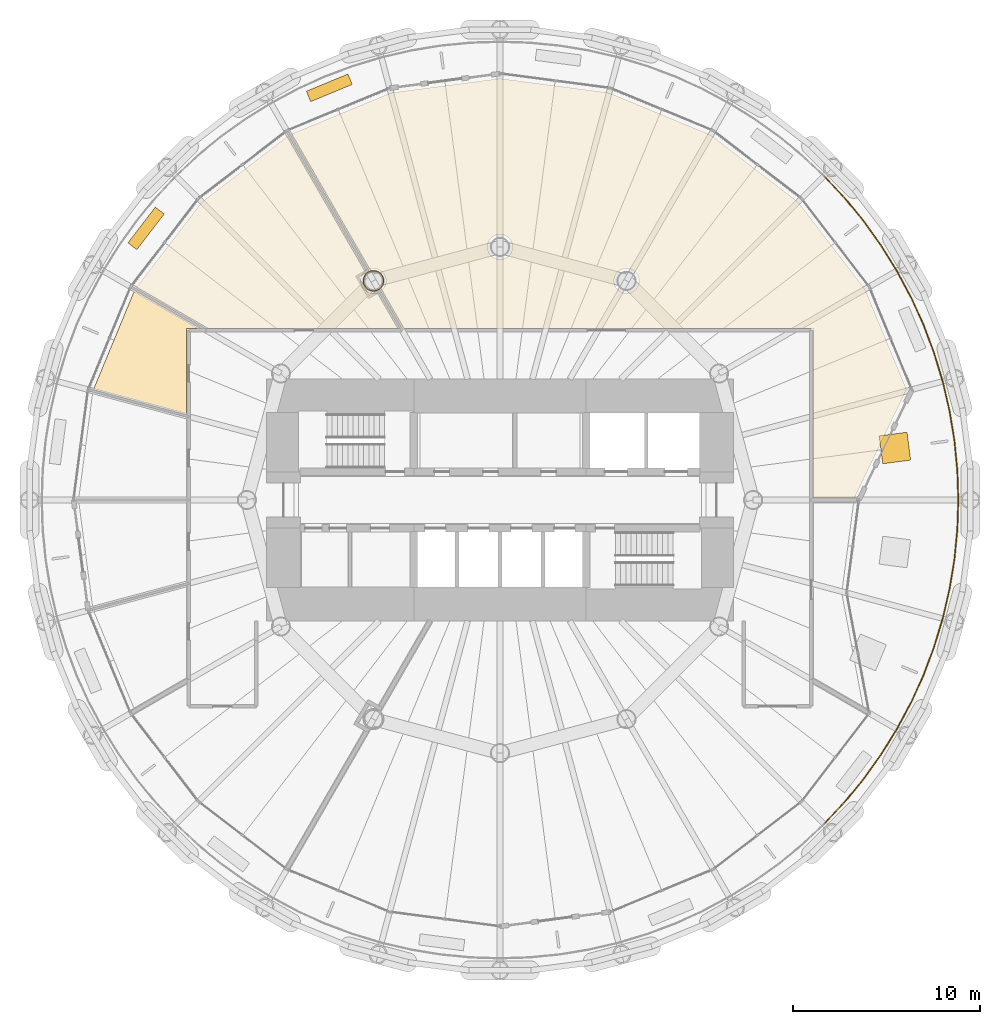
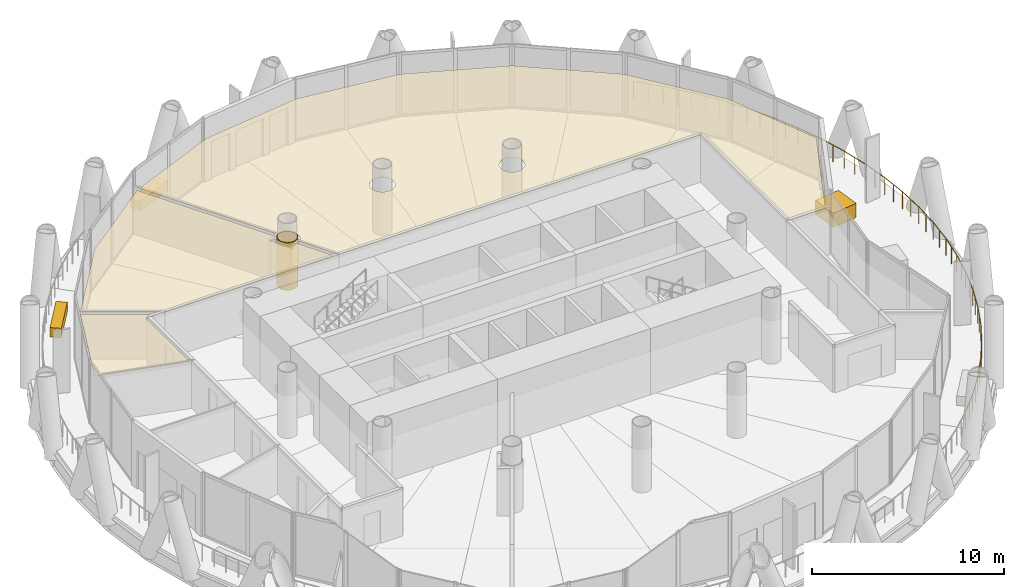
# One storey, part 14 of 15: 7 coverings, 1 railing.
"""IFC4 building model written with IfcOpenShell, lengths in metres."""

from ifc_helpers import new_model, si_unit, direction, frame, origin, origin_2d, place, context, subcontext, project, spatial, polyline, rectangle, circle, outline, extrude, material, layer, layer_set, type_object, element, save


model = new_model("IFC4")

# Units and contexts
model_context = context("Model", 3, precision=1e-05, world=origin(), true_north=direction((0.0, 1.0)))
body_context = subcontext(model_context, "Body", "Model", "MODEL_VIEW")
ifc_project = project(units=[si_unit("LENGTHUNIT", "METRE"), si_unit("AREAUNIT", "SQUARE_METRE"), si_unit("VOLUMEUNIT", "CUBIC_METRE"), si_unit("PLANEANGLEUNIT", "RADIAN"), si_unit("MASSUNIT", "GRAM", prefix="KILO")], contexts=[model_context])

# Site, building, storey
site_placement = place(None, origin())
site = spatial("IfcSite", under=ifc_project, at=site_placement, CompositionType="ELEMENT")
building_placement = place(site_placement, origin())
building = spatial("IfcBuilding", under=site, at=building_placement, Name="Qaws Media Tower", CompositionType="ELEMENT")
storey_placement = place(building_placement, frame((0.0, 0.0, 122.60009765625)))
storey = spatial("IfcBuildingStorey", under=building, at=storey_placement, Name="L27", CompositionType="ELEMENT", Elevation=122.60009765625)

# Covering
ifc_material_1 = material(Name="40 perforated acoustic panels with mineral wool backing, suspended", Category="mineral fibre")
ifc_layer_1 = layer(ifc_material_1, 0.0400390625)
ifc_layer_set_1 = layer_set([ifc_layer_1], Name="Acoustic panel ceiling 40")
covering_type_1 = type_object("IfcCoveringType", Name="Acoustic panel ceiling 40", PredefinedType="CEILING", material=ifc_layer_set_1)
covering_1_placement = place(storey_placement, frame((0.0, 0.0, 2.849853515625)))
element("IfcCovering", 1, at=covering_1_placement, inside=storey, type_object=covering_type_1, Name="CL3 ceiling L27-03 Meeting room", PredefinedType="CEILING", context=body_context, shape_type="SweptSolid", body=[
    extrude(outline(polyline([(44.1005859375, 65.8994140625), (48.66748046875, 69.40380859375), (52.823974609375, 62.204345703125), (52.777587890625, 62.163818359375), (52.719970703125, 62.097900390625), (52.67138671875, 62.025390625), (52.6328125, 61.947021484375), (52.604736328125, 61.8642578125), (52.587646484375, 61.778564453125), (52.58203125, 61.69140625), (52.587646484375, 61.604248046875), (52.604736328125, 61.5185546875), (52.6328125, 61.435791015625), (52.67138671875, 61.357421875), (52.719970703125, 61.28466796875), (52.777587890625, 61.218994140625), (52.84326171875, 61.161376953125), (52.916015625, 61.11279296875), (52.994384765625, 61.07421875), (53.0771484375, 61.046142578125), (53.162841796875, 61.029052734375), (53.25, 61.023193359375), (53.337158203125, 61.029052734375), (53.4228515625, 61.046142578125), (53.481201171875, 61.06591796875), (54.580078125, 59.16259765625), (44.35498046875, 59.16259765625), (40.59619140625, 61.33251953125), (44.1005859375, 65.8994140625)])), origin(), (0.0, 0.0, 1.0), 0.0400390625),
])

# Railing
ifc_material_2 = material(Name="Stainless steel and glass guard", Category="steel")
railing_type = type_object("IfcRailingType", Name="Balcony guard 1100", PredefinedType="GUARDRAIL", material=ifc_material_2)
railing_placement = place(storey_placement, frame((77.288818359375, 32.711181640625, 0.0)))
element("IfcRailing", 2, at=railing_placement, inside=storey, type_object=railing_type, Name="GR1 balcony guard L27-4", PredefinedType="GUARDRAIL", context=body_context, shape_type="SweptSolid", body=[
    extrude(circle(Radius=0.02392578125, at=origin_2d()), frame((0.0, 0.0, 1.076171875), z_axis=(0.683611130788, 0.729846437179, 0.0), x_axis=(-0.729846437179, 0.683611130788, 0.0)), (0.0, 0.0, 1.0), 1.599853515625),
    extrude(circle(Radius=0.02392578125, at=origin_2d()), frame((1.09375, 1.167724609375, 1.076171875), z_axis=(0.634342333827, 0.773052264414, 0.0), x_axis=(-0.773052264414, 0.634342333827, 0.0)), (0.0, 0.0, 1.0), 1.599853515625),
    extrude(circle(Radius=0.02392578125, at=origin_2d()), frame((2.108642578125, 2.404541015625, 1.076171875), z_axis=(0.582450049551, 0.812866495667, 0.0), x_axis=(-0.812866495667, 0.582450049551, 0.0)), (0.0, 0.0, 1.0), 1.599853515625),
    extrude(circle(Radius=0.02392578125, at=origin_2d()), frame((3.04052734375, 3.705078125, 1.076171875), z_axis=(0.528118536746, 0.849170660789, 0.0), x_axis=(-0.849170660789, 0.528118536746, 0.0)), (0.0, 0.0, 1.0), 1.599853515625),
    extrude(circle(Radius=0.02392578125, at=origin_2d()), frame((3.885498046875, 5.063720703125, 1.076171875), z_axis=(0.471340438278, 0.881951354239, 0.0), x_axis=(-0.881951354239, 0.471340438278, 0.0)), (0.0, 0.0, 1.0), 1.60009765625),
    extrude(circle(Radius=0.02392578125, at=origin_2d()), frame((4.6396484375, 6.474853515625, 1.076171875), z_axis=(0.412767961291, 0.910836214767, 0.0), x_axis=(-0.910836214767, 0.412767961291, 0.0)), (0.0, 0.0, 1.0), 1.599853515625),
    extrude(circle(Radius=0.02392578125, at=origin_2d()), frame((5.300048828125, 7.93212890625, 1.076171875), z_axis=(0.352159949938, 0.935939832286, 0.0), x_axis=(-0.935939832286, 0.352159949938, 0.0)), (0.0, 0.0, 1.0), 1.60009765625),
    extrude(circle(Radius=0.02392578125, at=origin_2d()), frame((5.863525390625, 9.4296875, 1.076171875), z_axis=(0.290384299084, 0.956910110118, 0.0), x_axis=(-0.956910110118, 0.290384299084, 0.0)), (0.0, 0.0, 1.0), 1.599853515625),
    extrude(circle(Radius=0.02392578125, at=origin_2d()), frame((6.328125, 10.960693359375, 1.076171875), z_axis=(0.227065597837, 0.973879465991, 0.0), x_axis=(-0.973879465991, 0.227065597837, 0.0)), (0.0, 0.0, 1.0), 1.599853515625),
    extrude(circle(Radius=0.02392578125, at=origin_2d()), frame((6.69140625, 12.518798828125, 1.076171875), z_axis=(0.162815123173, 0.986656594599, 0.0), x_axis=(-0.986656594599, 0.162815123173, 0.0)), (0.0, 0.0, 1.0), 1.599853515625),
    extrude(circle(Radius=0.02392578125, at=origin_2d()), frame((6.951904296875, 14.097412109375, 1.076171875), z_axis=(0.098113716656, 0.995175210003, 0.0), x_axis=(-0.995175210003, 0.098113716656, 0.0)), (0.0, 0.0, 1.0), 1.60009765625),
    extrude(circle(Radius=0.02392578125, at=origin_2d()), frame((7.10888671875, 15.689697265625, 1.076171875), z_axis=(0.032654332044, 0.999466705098, 0.0), x_axis=(-0.999466705098, 0.032654332044, 0.0)), (0.0, 0.0, 1.0), 1.599853515625),
    extrude(circle(Radius=0.02392578125, at=origin_2d()), frame((7.1611328125, 17.288818359375, 1.076171875), z_axis=(-0.032654332044, 0.999466705098, 0.0), x_axis=(-0.999466705098, -0.032654332044, 0.0)), (0.0, 0.0, 1.0), 1.599853515625),
    extrude(circle(Radius=0.02392578125, at=origin_2d()), frame((7.10888671875, 18.887939453125, 1.076171875), z_axis=(-0.098113716656, 0.995175210003, 0.0), x_axis=(-0.995175210003, -0.098113716656, 0.0)), (0.0, 0.0, 1.0), 1.60009765625),
    extrude(circle(Radius=0.02392578125, at=origin_2d()), frame((6.951904296875, 20.480224609375, 1.076171875), z_axis=(-0.162815123173, 0.986656594599, 0.0), x_axis=(-0.986656594599, -0.162815123173, 0.0)), (0.0, 0.0, 1.0), 1.599853515625),
    extrude(circle(Radius=0.02392578125, at=origin_2d()), frame((6.69140625, 22.058837890625, 1.076171875), z_axis=(-0.227065597837, 0.973879465991, 0.0), x_axis=(-0.973879465991, -0.227065597837, 0.0)), (0.0, 0.0, 1.0), 1.599853515625),
    extrude(circle(Radius=0.02392578125, at=origin_2d()), frame((6.328125, 23.616943359375, 1.076171875), z_axis=(-0.290384299084, 0.956910110118, 0.0), x_axis=(-0.956910110118, -0.290384299084, 0.0)), (0.0, 0.0, 1.0), 1.599853515625),
    extrude(circle(Radius=0.02392578125, at=origin_2d()), frame((5.863525390625, 25.14794921875, 1.076171875), z_axis=(-0.352159949938, 0.935939832286, 0.0), x_axis=(-0.935939832286, -0.352159949938, 0.0)), (0.0, 0.0, 1.0), 1.60009765625),
    extrude(circle(Radius=0.02392578125, at=origin_2d()), frame((5.300048828125, 26.6455078125, 1.076171875), z_axis=(-0.412767961291, 0.910836214767, 0.0), x_axis=(-0.910836214767, -0.412767961291, 0.0)), (0.0, 0.0, 1.0), 1.599853515625),
    extrude(circle(Radius=0.02392578125, at=origin_2d()), frame((4.6396484375, 28.102783203125, 1.076171875), z_axis=(-0.471340438278, 0.881951354239, 0.0), x_axis=(-0.881951354239, -0.471340438278, 0.0)), (0.0, 0.0, 1.0), 1.60009765625),
    extrude(circle(Radius=0.02392578125, at=origin_2d()), frame((3.885498046875, 29.513916015625, 1.076171875), z_axis=(-0.528118536746, 0.849170660789, 0.0), x_axis=(-0.849170660789, -0.528118536746, 0.0)), (0.0, 0.0, 1.0), 1.599853515625),
    extrude(circle(Radius=0.02392578125, at=origin_2d()), frame((3.04052734375, 30.87255859375, 1.076171875), z_axis=(-0.582450049551, 0.812866495667, 0.0), x_axis=(-0.812866495667, -0.582450049551, 0.0)), (0.0, 0.0, 1.0), 1.599853515625),
    extrude(circle(Radius=0.02392578125, at=origin_2d()), frame((2.108642578125, 32.173095703125, 1.076171875), z_axis=(-0.634342333827, 0.773052264414, 0.0), x_axis=(-0.773052264414, -0.634342333827, 0.0)), (0.0, 0.0, 1.0), 1.599853515625),
    extrude(circle(Radius=0.02392578125, at=origin_2d()), frame((1.09375, 33.409912109375, 1.076171875), z_axis=(-0.683611130788, 0.729846437179, 0.0), x_axis=(-0.729846437179, -0.683611130788, 0.0)), (0.0, 0.0, 1.0), 1.599853515625),
    extrude(circle(Radius=0.02099609375, at=origin_2d()), origin(), (0.0, 0.0, 1.0), 1.052001953125),
    extrude(circle(Radius=0.02099609375, at=origin_2d()), frame((0.546875, 0.583984375, 0.0)), (0.0, 0.0, 1.0), 1.052001953125),
    extrude(circle(Radius=0.02099609375, at=origin_2d()), frame((1.09375, 1.167724609375, 0.0)), (0.0, 0.0, 1.0), 1.052001953125),
    extrude(circle(Radius=0.02099609375, at=origin_2d()), frame((1.60107421875, 1.7861328125, 0.0)), (0.0, 0.0, 1.0), 1.052001953125),
    extrude(circle(Radius=0.02099609375, at=origin_2d()), frame((2.108642578125, 2.404541015625, 0.0)), (0.0, 0.0, 1.0), 1.052001953125),
    extrude(circle(Radius=0.02099609375, at=origin_2d()), frame((2.57470703125, 3.0546875, 0.0)), (0.0, 0.0, 1.0), 1.052001953125),
    extrude(circle(Radius=0.02099609375, at=origin_2d()), frame((3.04052734375, 3.705078125, 0.0)), (0.0, 0.0, 1.0), 1.052001953125),
    extrude(circle(Radius=0.02099609375, at=origin_2d()), frame((3.462890625, 4.38427734375, 0.0)), (0.0, 0.0, 1.0), 1.052001953125),
    extrude(circle(Radius=0.02099609375, at=origin_2d()), frame((3.885498046875, 5.063720703125, 0.0)), (0.0, 0.0, 1.0), 1.052001953125),
    extrude(circle(Radius=0.02099609375, at=origin_2d()), frame((4.2626953125, 5.769287109375, 0.0)), (0.0, 0.0, 1.0), 1.052001953125),
    extrude(circle(Radius=0.02099609375, at=origin_2d()), frame((4.6396484375, 6.474853515625, 0.0)), (0.0, 0.0, 1.0), 1.052001953125),
    extrude(circle(Radius=0.02099609375, at=origin_2d()), frame((4.9697265625, 7.20361328125, 0.0)), (0.0, 0.0, 1.0), 1.052001953125),
    extrude(circle(Radius=0.02099609375, at=origin_2d()), frame((5.300048828125, 7.93212890625, 0.0)), (0.0, 0.0, 1.0), 1.052001953125),
    extrude(circle(Radius=0.02099609375, at=origin_2d()), frame((5.581787109375, 8.680908203125, 0.0)), (0.0, 0.0, 1.0), 1.052001953125),
    extrude(circle(Radius=0.02099609375, at=origin_2d()), frame((5.863525390625, 9.4296875, 0.0)), (0.0, 0.0, 1.0), 1.052001953125),
    extrude(circle(Radius=0.02099609375, at=origin_2d()), frame((6.095703125, 10.1953125, 0.0)), (0.0, 0.0, 1.0), 1.052001953125),
    extrude(circle(Radius=0.02099609375, at=origin_2d()), frame((6.328125, 10.960693359375, 0.0)), (0.0, 0.0, 1.0), 1.052001953125),
    extrude(circle(Radius=0.02099609375, at=origin_2d()), frame((6.509765625, 11.73974609375, 0.0)), (0.0, 0.0, 1.0), 1.052001953125),
    extrude(circle(Radius=0.02099609375, at=origin_2d()), frame((6.69140625, 12.518798828125, 0.0)), (0.0, 0.0, 1.0), 1.052001953125),
    extrude(circle(Radius=0.02099609375, at=origin_2d()), frame((6.82177734375, 13.30810546875, 0.0)), (0.0, 0.0, 1.0), 1.052001953125),
    extrude(circle(Radius=0.02099609375, at=origin_2d()), frame((6.951904296875, 14.097412109375, 0.0)), (0.0, 0.0, 1.0), 1.052001953125),
    extrude(circle(Radius=0.02099609375, at=origin_2d()), frame((7.0302734375, 14.8935546875, 0.0)), (0.0, 0.0, 1.0), 1.052001953125),
    extrude(circle(Radius=0.02099609375, at=origin_2d()), frame((7.10888671875, 15.689697265625, 0.0)), (0.0, 0.0, 1.0), 1.052001953125),
    extrude(circle(Radius=0.02099609375, at=origin_2d()), frame((7.135009765625, 16.4892578125, 0.0)), (0.0, 0.0, 1.0), 1.052001953125),
    extrude(circle(Radius=0.02099609375, at=origin_2d()), frame((7.1611328125, 17.288818359375, 0.0)), (0.0, 0.0, 1.0), 1.052001953125),
    extrude(circle(Radius=0.02099609375, at=origin_2d()), frame((7.135009765625, 18.08837890625, 0.0)), (0.0, 0.0, 1.0), 1.052001953125),
    extrude(circle(Radius=0.02099609375, at=origin_2d()), frame((7.10888671875, 18.887939453125, 0.0)), (0.0, 0.0, 1.0), 1.052001953125),
    extrude(circle(Radius=0.02099609375, at=origin_2d()), frame((7.0302734375, 19.68408203125, 0.0)), (0.0, 0.0, 1.0), 1.052001953125),
    extrude(circle(Radius=0.02099609375, at=origin_2d()), frame((6.951904296875, 20.480224609375, 0.0)), (0.0, 0.0, 1.0), 1.052001953125),
    extrude(circle(Radius=0.02099609375, at=origin_2d()), frame((6.82177734375, 21.26953125, 0.0)), (0.0, 0.0, 1.0), 1.052001953125),
    extrude(circle(Radius=0.02099609375, at=origin_2d()), frame((6.69140625, 22.058837890625, 0.0)), (0.0, 0.0, 1.0), 1.052001953125),
    extrude(circle(Radius=0.02099609375, at=origin_2d()), frame((6.509765625, 22.837890625, 0.0)), (0.0, 0.0, 1.0), 1.052001953125),
    extrude(circle(Radius=0.02099609375, at=origin_2d()), frame((6.328125, 23.616943359375, 0.0)), (0.0, 0.0, 1.0), 1.052001953125),
    extrude(circle(Radius=0.02099609375, at=origin_2d()), frame((6.095703125, 24.38232421875, 0.0)), (0.0, 0.0, 1.0), 1.052001953125),
    extrude(circle(Radius=0.02099609375, at=origin_2d()), frame((5.863525390625, 25.14794921875, 0.0)), (0.0, 0.0, 1.0), 1.052001953125),
    extrude(circle(Radius=0.02099609375, at=origin_2d()), frame((5.581787109375, 25.896728515625, 0.0)), (0.0, 0.0, 1.0), 1.052001953125),
    extrude(circle(Radius=0.02099609375, at=origin_2d()), frame((5.300048828125, 26.6455078125, 0.0)), (0.0, 0.0, 1.0), 1.052001953125),
    extrude(circle(Radius=0.02099609375, at=origin_2d()), frame((4.9697265625, 27.3740234375, 0.0)), (0.0, 0.0, 1.0), 1.052001953125),
    extrude(circle(Radius=0.02099609375, at=origin_2d()), frame((4.6396484375, 28.102783203125, 0.0)), (0.0, 0.0, 1.0), 1.052001953125),
    extrude(circle(Radius=0.02099609375, at=origin_2d()), frame((4.2626953125, 28.808349609375, 0.0)), (0.0, 0.0, 1.0), 1.052001953125),
    extrude(circle(Radius=0.02099609375, at=origin_2d()), frame((3.885498046875, 29.513916015625, 0.0)), (0.0, 0.0, 1.0), 1.052001953125),
    extrude(circle(Radius=0.02099609375, at=origin_2d()), frame((3.462890625, 30.193359375, 0.0)), (0.0, 0.0, 1.0), 1.052001953125),
    extrude(circle(Radius=0.02099609375, at=origin_2d()), frame((3.04052734375, 30.87255859375, 0.0)), (0.0, 0.0, 1.0), 1.052001953125),
    extrude(circle(Radius=0.02099609375, at=origin_2d()), frame((2.57470703125, 31.52294921875, 0.0)), (0.0, 0.0, 1.0), 1.052001953125),
    extrude(circle(Radius=0.02099609375, at=origin_2d()), frame((2.108642578125, 32.173095703125, 0.0)), (0.0, 0.0, 1.0), 1.052001953125),
    extrude(circle(Radius=0.02099609375, at=origin_2d()), frame((1.60107421875, 32.79150390625, 0.0)), (0.0, 0.0, 1.0), 1.052001953125),
    extrude(circle(Radius=0.02099609375, at=origin_2d()), frame((1.09375, 33.409912109375, 0.0)), (0.0, 0.0, 1.0), 1.052001953125),
    extrude(circle(Radius=0.02099609375, at=origin_2d()), frame((0.546875, 33.99365234375, 0.0)), (0.0, 0.0, 1.0), 1.052001953125),
    extrude(circle(Radius=0.02099609375, at=origin_2d()), frame((0.0, 34.57763671875, 0.0)), (0.0, 0.0, 1.0), 1.052001953125),
])

# Coverings
ifc_material_3 = material(Name="Two layers 15 fire-rated gypsum board on steel framing", Category="steel")
ifc_layer_2 = layer(ifc_material_3, 0.050048828125)
ifc_layer_set_2 = layer_set([ifc_layer_2], Name="Column fire casing")
covering_type_2 = type_object("IfcCoveringType", Name="Column fire casing", PredefinedType="CLADDING", material=ifc_layer_set_2)
covering_2_placement = place(storey_placement, origin())
element("IfcCovering", 3, at=covering_2_placement, inside=storey, type_object=covering_type_2, Name="CC1 column casing L27", PredefinedType="CLADDING", context=body_context, shape_type="SweptSolid", body=[
    extrude(outline(polyline([(53.81298828125, 61.69140625), (53.80810546875, 61.617919921875), (53.793701171875, 61.545654296875), (53.77001953125, 61.475830078125), (53.737548828125, 61.409912109375), (53.69677734375, 61.3486328125), (53.648193359375, 61.293212890625), (53.5927734375, 61.24462890625), (53.531494140625, 61.203857421875), (53.465576171875, 61.171142578125), (53.395751953125, 61.1474609375), (53.323486328125, 61.13330078125), (53.25, 61.12841796875), (53.176513671875, 61.13330078125), (53.104248046875, 61.1474609375), (53.034423828125, 61.171142578125), (52.968505859375, 61.203857421875), (52.9072265625, 61.24462890625), (52.851806640625, 61.293212890625), (52.80322265625, 61.3486328125), (52.762451171875, 61.409912109375), (52.72998046875, 61.475830078125), (52.706298828125, 61.545654296875), (52.69189453125, 61.617919921875), (52.68701171875, 61.69140625), (52.69189453125, 61.764892578125), (52.706298828125, 61.837158203125), (52.72998046875, 61.90673828125), (52.762451171875, 61.972900390625), (52.80322265625, 62.0341796875), (52.851806640625, 62.08935546875), (52.9072265625, 62.137939453125), (52.968505859375, 62.178955078125), (53.034423828125, 62.21142578125), (53.104248046875, 62.235107421875), (53.176513671875, 62.24951171875), (53.25, 62.25439453125), (53.323486328125, 62.24951171875), (53.395751953125, 62.235107421875), (53.465576171875, 62.21142578125), (53.531494140625, 62.178955078125), (53.5927734375, 62.137939453125), (53.648193359375, 62.08935546875), (53.69677734375, 62.0341796875), (53.737548828125, 61.972900390625), (53.77001953125, 61.90673828125), (53.793701171875, 61.837158203125), (53.80810546875, 61.764892578125), (53.81298828125, 61.69140625)]), holes=[polyline([(53.760986328125, 61.69140625), (53.756591796875, 61.62451171875), (53.74365234375, 61.55908203125), (53.72216796875, 61.495849609375), (53.6923828125, 61.435791015625), (53.655517578125, 61.38037109375), (53.611328125, 61.330078125), (53.56103515625, 61.285888671875), (53.505615234375, 61.248779296875), (53.445556640625, 61.21923828125), (53.38232421875, 61.19775390625), (53.316650390625, 61.184814453125), (53.25, 61.180419921875), (53.183349609375, 61.184814453125), (53.11767578125, 61.19775390625), (53.054443359375, 61.21923828125), (52.994384765625, 61.248779296875), (52.93896484375, 61.285888671875), (52.888671875, 61.330078125), (52.844482421875, 61.38037109375), (52.8076171875, 61.435791015625), (52.77783203125, 61.495849609375), (52.75634765625, 61.55908203125), (52.743408203125, 61.62451171875), (52.739013671875, 61.69140625), (52.743408203125, 61.758056640625), (52.75634765625, 61.823486328125), (52.77783203125, 61.886962890625), (52.8076171875, 61.94677734375), (52.844482421875, 62.00244140625), (52.888671875, 62.052734375), (52.93896484375, 62.0966796875), (52.994384765625, 62.1337890625), (53.054443359375, 62.163330078125), (53.11767578125, 62.184814453125), (53.183349609375, 62.197998046875), (53.25, 62.202392578125), (53.316650390625, 62.197998046875), (53.38232421875, 62.184814453125), (53.445556640625, 62.163330078125), (53.505615234375, 62.1337890625), (53.56103515625, 62.0966796875), (53.611328125, 62.052734375), (53.655517578125, 62.00244140625), (53.6923828125, 61.94677734375), (53.72216796875, 61.886962890625), (53.74365234375, 61.823486328125), (53.756591796875, 61.758056640625), (53.760986328125, 61.69140625)])]), origin(), (0.0, 0.0, 1.0), 3.02001953125),
])
ifc_material_4 = material(Name="600 x 600 mineral fibre tiles in exposed grid, suspended", Category="mineral fibre")
ifc_layer_3 = layer(ifc_material_4, 0.02001953125)
ifc_layer_set_3 = layer_set([ifc_layer_3], Name="Mineral fibre tile ceiling 20")
covering_type_3 = type_object("IfcCoveringType", Name="Mineral fibre tile ceiling 20", PredefinedType="CEILING", material=ifc_layer_set_3)
covering_3_placement = place(storey_placement, frame((0.0, 0.0, 2.849853515625)))
element("IfcCovering", 4, at=covering_3_placement, inside=storey, type_object=covering_type_3, Name="CL1 ceiling L27-02 Finance office", PredefinedType="CEILING", context=body_context, shape_type="SweptSolid", body=[
    extrude(outline(polyline([(54.180419921875, 71.718994140625), (60.0, 72.485107421875), (65.819580078125, 71.718994140625), (71.24267578125, 69.472900390625), (75.8994140625, 65.8994140625), (79.472900390625, 61.24267578125), (81.6875, 55.89599609375), (78.912841796875, 50.112548828125), (76.71240234375, 50.112548828125), (76.71240234375, 59.16259765625), (54.83984375, 59.16259765625), (53.676025390625, 61.178466796875), (53.722412109375, 61.218994140625), (53.780029296875, 61.28466796875), (53.82861328125, 61.357421875), (53.8671875, 61.435791015625), (53.895263671875, 61.5185546875), (53.912353515625, 61.604248046875), (53.91796875, 61.69140625), (53.912353515625, 61.778564453125), (53.895263671875, 61.8642578125), (53.8671875, 61.947021484375), (53.82861328125, 62.025390625), (53.780029296875, 62.097900390625), (53.722412109375, 62.163818359375), (53.65673828125, 62.22119140625), (53.583984375, 62.269775390625), (53.505615234375, 62.30859375), (53.4228515625, 62.336669921875), (53.337158203125, 62.353515625), (53.25, 62.359375), (53.162841796875, 62.353515625), (53.0771484375, 62.336669921875), (53.018798828125, 62.31689453125), (48.8623046875, 69.51611328125), (54.180419921875, 71.718994140625)]), holes=[polyline([(60.6171875, 63.244384765625), (60.645263671875, 63.3271484375), (60.662353515625, 63.412841796875), (60.66796875, 63.5), (60.662353515625, 63.587158203125), (60.645263671875, 63.6728515625), (60.6171875, 63.755615234375), (60.57861328125, 63.833984375), (60.530029296875, 63.90673828125), (60.472412109375, 63.972412109375), (60.40673828125, 64.030029296875), (60.333984375, 64.07861328125), (60.255615234375, 64.1171875), (60.1728515625, 64.145263671875), (60.087158203125, 64.162353515625), (60.0, 64.16796875), (59.912841796875, 64.162353515625), (59.8271484375, 64.145263671875), (59.744384765625, 64.1171875), (59.666015625, 64.07861328125), (59.59326171875, 64.030029296875), (59.527587890625, 63.972412109375), (59.469970703125, 63.90673828125), (59.42138671875, 63.833984375), (59.3828125, 63.755615234375), (59.354736328125, 63.6728515625), (59.337646484375, 63.587158203125), (59.33203125, 63.5), (59.337646484375, 63.412841796875), (59.354736328125, 63.3271484375), (59.3828125, 63.244384765625), (59.42138671875, 63.166015625), (59.469970703125, 63.09326171875), (59.527587890625, 63.027587890625), (59.59326171875, 62.969970703125), (59.666015625, 62.92138671875), (59.744384765625, 62.8828125), (59.8271484375, 62.854736328125), (59.912841796875, 62.837646484375), (60.0, 62.83203125), (60.087158203125, 62.837646484375), (60.1728515625, 62.854736328125), (60.255615234375, 62.8828125), (60.333984375, 62.92138671875), (60.40673828125, 62.969970703125), (60.472412109375, 63.027587890625), (60.530029296875, 63.09326171875), (60.57861328125, 63.166015625), (60.6171875, 63.244384765625)]), polyline([(67.3671875, 61.435791015625), (67.395263671875, 61.5185546875), (67.412353515625, 61.604248046875), (67.41796875, 61.69140625), (67.412353515625, 61.778564453125), (67.395263671875, 61.8642578125), (67.3671875, 61.947021484375), (67.32861328125, 62.025390625), (67.280029296875, 62.097900390625), (67.222412109375, 62.163818359375), (67.15673828125, 62.22119140625), (67.083984375, 62.269775390625), (67.005615234375, 62.30859375), (66.9228515625, 62.336669921875), (66.837158203125, 62.353515625), (66.75, 62.359375), (66.662841796875, 62.353515625), (66.5771484375, 62.336669921875), (66.494384765625, 62.30859375), (66.416015625, 62.269775390625), (66.34326171875, 62.22119140625), (66.277587890625, 62.163818359375), (66.219970703125, 62.097900390625), (66.17138671875, 62.025390625), (66.1328125, 61.947021484375), (66.104736328125, 61.8642578125), (66.087646484375, 61.778564453125), (66.08203125, 61.69140625), (66.087646484375, 61.604248046875), (66.104736328125, 61.5185546875), (66.1328125, 61.435791015625), (66.17138671875, 61.357421875), (66.219970703125, 61.28466796875), (66.277587890625, 61.218994140625), (66.34326171875, 61.161376953125), (66.416015625, 61.11279296875), (66.494384765625, 61.07421875), (66.5771484375, 61.046142578125), (66.662841796875, 61.029052734375), (66.75, 61.023193359375), (66.837158203125, 61.029052734375), (66.9228515625, 61.046142578125), (67.005615234375, 61.07421875), (67.083984375, 61.11279296875), (67.15673828125, 61.161376953125), (67.222412109375, 61.218994140625), (67.280029296875, 61.28466796875), (67.32861328125, 61.357421875), (67.3671875, 61.435791015625)])]), origin(), (0.0, 0.0, 1.0), 0.02001953125),
])
covering_4_placement = place(storey_placement, frame((0.0, 0.0, 2.849853515625)))
element("IfcCovering", 5, at=covering_4_placement, inside=storey, type_object=covering_type_3, Name="CL1 ceiling L27-04 Office", PredefinedType="CEILING", context=body_context, shape_type="SweptSolid", body=[
    extrude(outline(polyline([(40.48388671875, 61.1376953125), (43.905029296875, 59.16259765625), (43.28759765625, 59.16259765625), (43.28759765625, 54.594482421875), (38.324462890625, 55.92431640625), (40.48388671875, 61.1376953125)])), origin(), (0.0, 0.0, 1.0), 0.02001953125),
])
ifc_material_5 = material(Name="Precast concrete planter with trailing planting", Category="concrete")
ifc_layer_4 = layer(ifc_material_5, 0.60009765625)
ifc_layer_set_4 = layer_set([ifc_layer_4], Name="Planter 2400x600")
covering_type_4 = type_object("IfcCoveringType", Name="Planter 2400x600", PredefinedType="USERDEFINED", material=ifc_layer_set_4)
for number, where, z_axis, x_axis, name in (
    (6, (50.89208984375, 71.98828125, -0.000244140625), (0.0, 0.0, 1.0), (-0.923879532511, -0.382683432365, 0.0), "PL1 balcony planter L27-04"),
    (7, (41.1181640625, 64.488525390625, -0.000244140625), (0.0, 0.0, 1.0), (-0.608761429009, -0.793353340291, 0.0), "PL1 balcony planter L27-05"),
):
    element("IfcCovering", number, at=place(storey_placement, frame(where, z_axis=z_axis, x_axis=x_axis)), inside=storey, type_object=covering_type_4, Name=name, ObjectType="PLANTER", PredefinedType="USERDEFINED", context=body_context, shape_type="SweptSolid", body=[
        extrude(rectangle(XDim=2.39990234375, YDim=0.60009765625, at=origin_2d()), origin(), (0.0, 0.0, 1.0), 0.60009765625),
    ])
ifc_material_6 = material(Name="Precast concrete tree planter", Category="concrete")
ifc_layer_5 = layer(ifc_material_6, 0.89990234375)
ifc_layer_set_5 = layer_set([ifc_layer_5], Name="Tree planter 1500")
covering_type_5 = type_object("IfcCoveringType", Name="Tree planter 1500", PredefinedType="USERDEFINED", material=ifc_layer_set_5)
covering_5_placement = place(storey_placement, frame((81.068115234375, 52.773681640625, 0.0), z_axis=(0.0, 0.0, 1.0), x_axis=(0.991444861374, 0.13052619222, 0.0)))
element("IfcCovering", 8, at=covering_5_placement, inside=storey, type_object=covering_type_5, Name="PL2 sky garden tree planter L27-3", ObjectType="PLANTER", PredefinedType="USERDEFINED", context=body_context, shape_type="SweptSolid", body=[
    extrude(rectangle(XDim=1.5, YDim=1.5, at=origin_2d()), origin(), (0.0, 0.0, 1.0), 0.89990234375),
])

save(model, "model.ifc")
